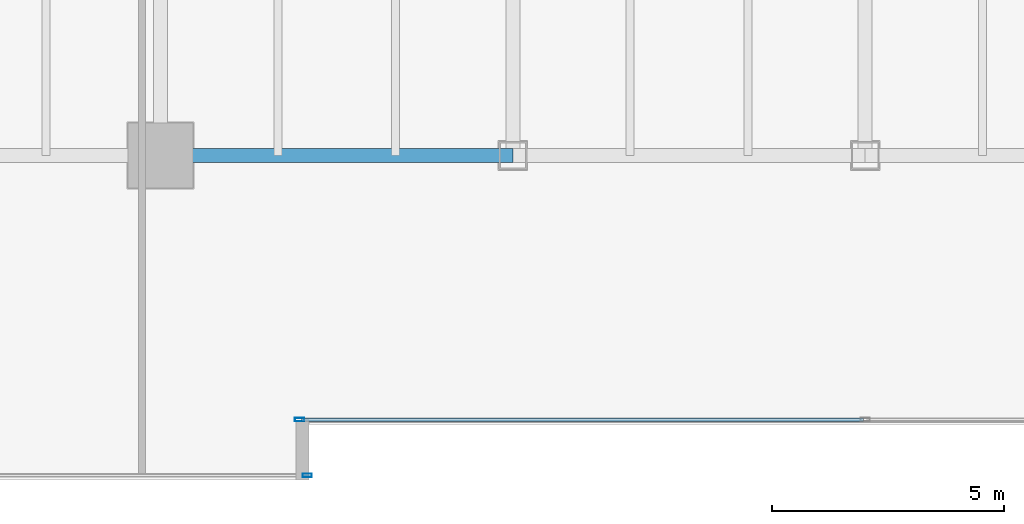
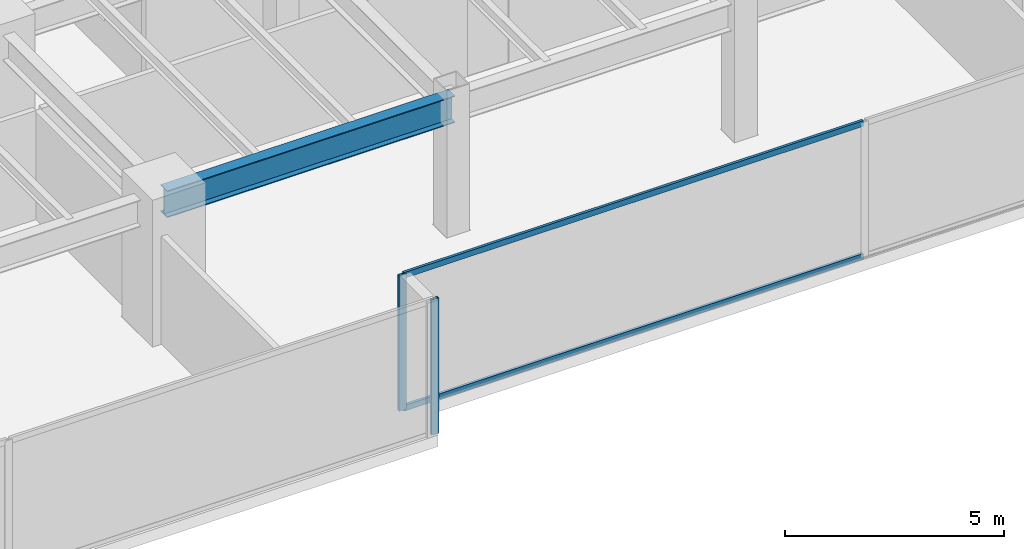
# One storey, part 4 of 36: 4 members, 1 beam, 2 elements without a shape of their own.
"""IFC4 building model written with IfcOpenShell, lengths in metres."""

from ifc_helpers import new_model, si_unit, direction, frame, origin, origin_2d, place, context, subcontext, project, spatial, hollow_rectangle, i_section, extrude, source, transform, mapped, material, layer, layer_set, material_profile, profile_set, type_object, type_shapes, element, aggregate, save


model = new_model("IFC4")

# Units and contexts
model_context = context("Model", 3, precision=1e-05, world=origin(), true_north=direction((0.0, 1.0)))
body_context = subcontext(model_context, "Body", "Model", "MODEL_VIEW")
ifc_project = project(units=[si_unit("LENGTHUNIT", "METRE"), si_unit("AREAUNIT", "SQUARE_METRE"), si_unit("VOLUMEUNIT", "CUBIC_METRE"), si_unit("PLANEANGLEUNIT", "RADIAN"), si_unit("MASSUNIT", "GRAM", prefix="KILO")], contexts=[model_context])

# Site, building, storey
site_placement = place(None, origin())
site = spatial("IfcSite", under=ifc_project, at=site_placement, CompositionType="ELEMENT")
building_placement = place(site_placement, origin())
building = spatial("IfcBuilding", under=site, at=building_placement, Name="Haelvirn Gate Laboratories", CompositionType="ELEMENT")
storey_placement = place(building_placement, frame((0.0, 0.0, 49.800048828125)))
storey = spatial("IfcBuildingStorey", under=building, at=storey_placement, Name="L12", CompositionType="ELEMENT", Elevation=49.800048828125)

# Beam
ifc_material_1 = material(Name="Steel SM355", Category="steel")
ifc_material_profile_1 = material_profile(ifc_material_1, i_section(OverallWidth=0.300048828125, OverallDepth=0.75, WebThickness=0.013916015625, FlangeThickness=0.02392578125, at=origin_2d()), Name="H-750x300x14x24")
ifc_profile_set_1 = profile_set([ifc_material_profile_1], Name="Steel SM355")
beam_type = type_object("IfcBeamType", Name="BM-G-750", PredefinedType="BEAM", material=ifc_profile_set_1)
shared_shape_1 = source(origin(), body_context, "Body", "SweptSolid", [
    extrude(i_section(OverallWidth=0.300048828125, OverallDepth=0.75, WebThickness=0.013916015625, FlangeThickness=0.02392578125, at=origin_2d()), origin(), (0.0, 0.0, 1.0), 7.60009765625),
])
type_shapes(beam_type, [shared_shape_1])
beam_placement = place(storey_placement, frame((22.199951171875, 7.0, 3.405029296875), z_axis=(1.0, 0.0, 0.0), x_axis=(0.0, 1.0, 0.0)))
element("IfcBeam", 1, at=beam_placement, inside=storey, type_object=beam_type, Name="L12 Primary Girder Y7.0 (22.2-29.8)", PredefinedType="BEAM", context=body_context, shape_type="MappedRepresentation", body=[
    mapped(shared_shape_1, transform((0.0, 0.0, 0.0), scale=1.0)),
])

# Curtain wall, member
ifc_material_2 = material(Name="Anodised bronze unitised aluminium & triple low-E glass", Category="aluminium")
ifc_layer = layer(ifc_material_2, 0.18408203125, Name="CW-SYS-2")
ifc_layer_set = layer_set([ifc_layer], Name="Anodised bronze unitised aluminium & triple low-E glass")
curtain_wall_type = type_object("IfcCurtainWallType", Name="CW-SYS-2", PredefinedType="NOTDEFINED", material=ifc_layer_set)
curtain_wall_1_placement = place(storey_placement, origin())
curtain_wall_1 = element("IfcCurtainWall", 2, at=curtain_wall_1_placement, inside=storey, type_object=curtain_wall_type, Name="L12 Unitised Curtain Wall CW-L12-P0-E00-1", PredefinedType="NOTDEFINED")
ifc_material_3 = material(Name="Extruded aluminium 6063-T6 (anodised bronze)", Category="aluminium")
ifc_material_profile_2 = material_profile(ifc_material_3, hollow_rectangle(XDim=0.074951171875, YDim=0.199951171875, WallThickness=0.0048828125, at=origin_2d()), Name="CWM-200x75x5")
ifc_profile_set_2 = profile_set([ifc_material_profile_2], Name="Extruded aluminium 6063-T6 (anodised bronze)")
member_type_1 = type_object("IfcMemberType", Name="CWM-T200", PredefinedType="MULLION", material=ifc_profile_set_2)
shared_shape_2 = source(origin(), body_context, "Body", "SweptSolid", [
    extrude(hollow_rectangle(XDim=0.074951171875, YDim=0.199951171875, WallThickness=0.0048828125, at=origin_2d()), origin(), (0.0, 0.0, 1.0), 3.780029296875),
])
type_shapes(member_type_1, [shared_shape_2])
member_1_placement = place(storey_placement, frame((25.362548828125, 0.10009765625, 0.0), z_axis=(0.0, 0.0, 1.0), x_axis=(0.0, 1.0, 0.0)))
member_1 = element("IfcMember", 3, at=member_1_placement, type_object=member_type_1, Name="CW2 mullion 3", PredefinedType="MULLION", context=body_context, shape_type="MappedRepresentation", body=[
    mapped(shared_shape_2, transform((0.0, 0.0, 0.0), scale=1.0)),
])
aggregate(curtain_wall_1, [member_1])

# Curtain wall, members
curtain_wall_2_placement = place(storey_placement, origin())
curtain_wall_2 = element("IfcCurtainWall", 4, at=curtain_wall_2_placement, inside=storey, type_object=curtain_wall_type, Name="L12 Unitised Curtain Wall CW-L12-P0-E02-1", PredefinedType="NOTDEFINED")
member_2_placement = place(storey_placement, frame((25.197509765625, 1.300048828125, 0.0), z_axis=(0.0, 0.0, 1.0), x_axis=(0.0, 1.0, 0.0)))
member_2 = element("IfcMember", 5, at=member_2_placement, type_object=member_type_1, Name="CW2 mullion 1", PredefinedType="MULLION", context=body_context, shape_type="MappedRepresentation", body=[
    mapped(shared_shape_2, transform((0.0, 0.0, 0.0), scale=1.0)),
])
ifc_material_profile_3 = material_profile(ifc_material_3, hollow_rectangle(XDim=0.070068359375, YDim=0.159912109375, WallThickness=0.0048828125, at=origin_2d()), Name="CWT-160x70x5")
ifc_profile_set_3 = profile_set([ifc_material_profile_3], Name="Extruded aluminium 6063-T6 (anodised bronze)")
member_type_2 = type_object("IfcMemberType", Name="CWT-T160", PredefinedType="USERDEFINED", material=ifc_profile_set_3)
shared_shape_3 = source(origin(), body_context, "Body", "SweptSolid", [
    extrude(hollow_rectangle(XDim=0.070068359375, YDim=0.159912109375, WallThickness=0.0048828125, at=origin_2d()), origin(), (0.0, 0.0, 1.0), 12.12744140625),
])
type_shapes(member_type_2, [shared_shape_3])
member_3_placement = place(storey_placement, frame((25.235107421875, 1.300048828125, 0.034912109375), z_axis=(1.0, 0.0, 0.0), x_axis=(0.0, 1.0, 0.0)))
member_3 = element("IfcMember", 6, at=member_3_placement, type_object=member_type_2, Name="CW2 transom 1.1", ObjectType="TRANSOM", PredefinedType="USERDEFINED", context=body_context, shape_type="MappedRepresentation", body=[
    mapped(shared_shape_3, transform((0.0, 0.0, 0.0), scale=1.0)),
])
member_4_placement = place(storey_placement, frame((25.235107421875, 1.300048828125, 3.744873046875), z_axis=(1.0, 0.0, 0.0), x_axis=(0.0, 1.0, 0.0)))
member_4 = element("IfcMember", 7, at=member_4_placement, type_object=member_type_2, Name="CW2 transom 1.2", ObjectType="TRANSOM", PredefinedType="USERDEFINED", context=body_context, shape_type="MappedRepresentation", body=[
    mapped(shared_shape_3, transform((0.0, 0.0, 0.0), scale=1.0)),
])
aggregate(curtain_wall_2, [member_2, member_3, member_4])

save(model, "model.ifc")
